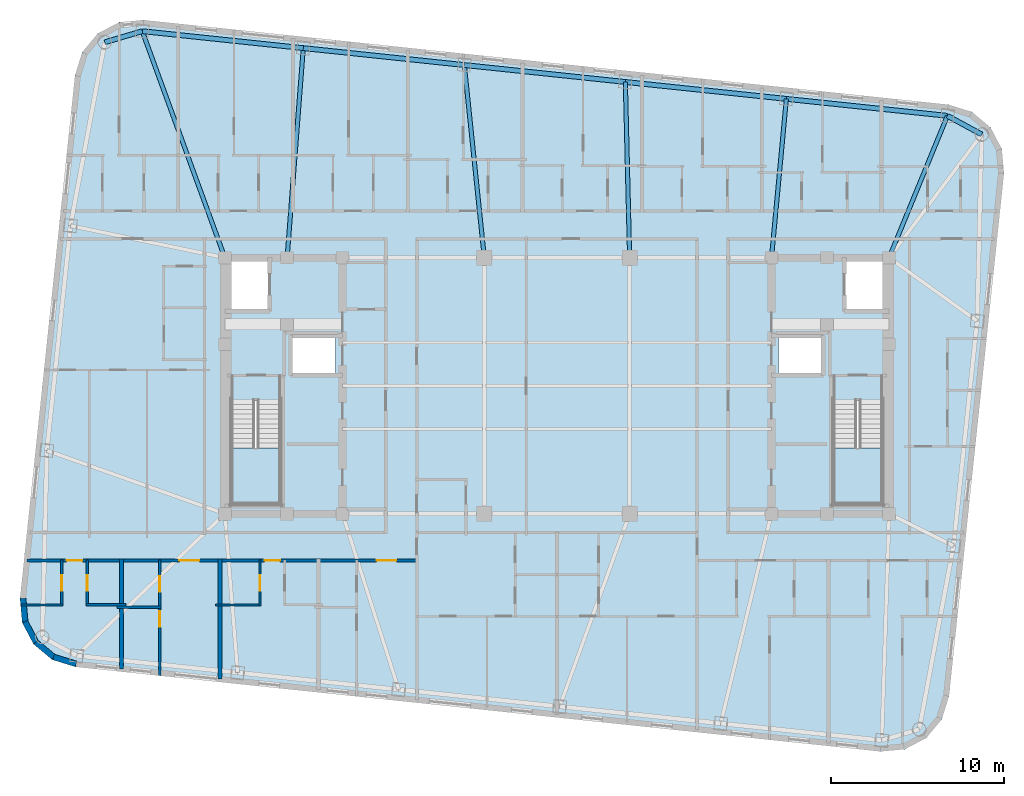
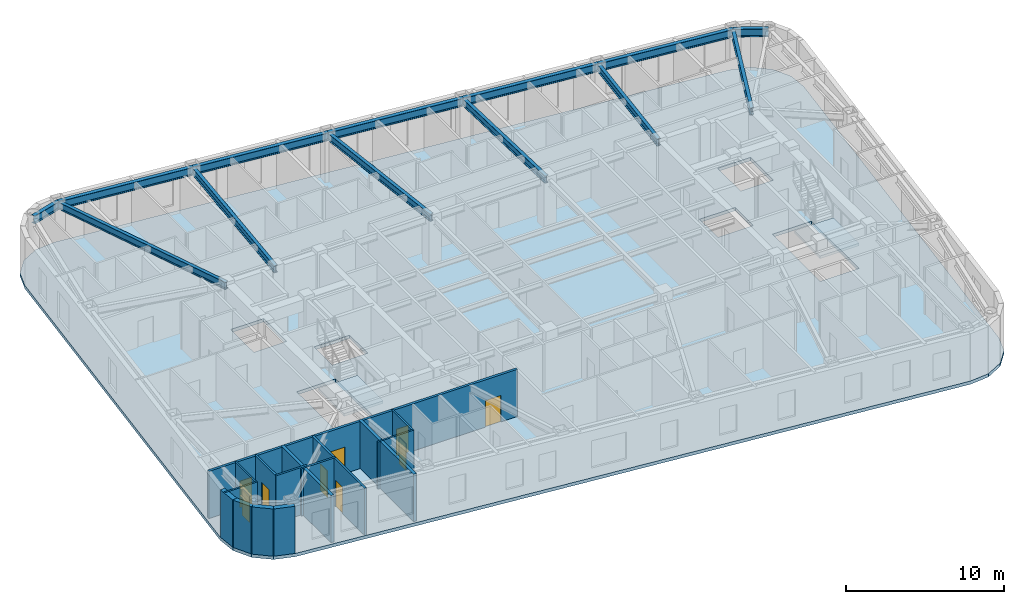
# One storey, part 2 of 11: 16 walls, 13 beams, 9 doors, 3 slabs, 9 openings, 2 elements without a shape of their own.
"""IFC4 building model written with IfcOpenShell, lengths in metres."""

from ifc_helpers import new_model, si_unit, direction, frame, frame_2d, origin, origin_2d, place, context, subcontext, project, spatial, polyline, rectangle, i_section, outline, extrude, material, layer, layer_set, material_profile, profile_set, type_object, element, fill, aggregate, save


model = new_model("IFC4")

# Units and contexts
model_context = context("Model", 3, precision=1e-05, world=origin(), true_north=direction((0.0, 1.0)))
body_context = subcontext(model_context, "Body", "Model", "MODEL_VIEW")
ifc_project = project(units=[si_unit("LENGTHUNIT", "METRE"), si_unit("AREAUNIT", "SQUARE_METRE"), si_unit("VOLUMEUNIT", "CUBIC_METRE"), si_unit("PLANEANGLEUNIT", "RADIAN"), si_unit("MASSUNIT", "GRAM", prefix="KILO")], contexts=[model_context])

# Site, building, storey
site_placement = place(None, origin())
site = spatial("IfcSite", under=ifc_project, at=site_placement, CompositionType="ELEMENT")
building_placement = place(site_placement, origin())
building = spatial("IfcBuilding", under=site, at=building_placement, Name="Voryun Gate Residences", CompositionType="ELEMENT")
storey_placement = place(building_placement, frame((0.0, 0.0, 271.699951171875)))
storey = spatial("IfcBuildingStorey", under=building, at=storey_placement, Name="L67", CompositionType="ELEMENT", Elevation=271.699951171875)

# Beams
ifc_material_1 = material(Name="Steel SM355", Category="steel")
ifc_material_profile_1 = material_profile(ifc_material_1, i_section(OverallWidth=0.280029296875, OverallDepth=0.6201171875, WebThickness=0.013916015625, FlangeThickness=0.02197265625, FilletRadius=0.01806640625, at=origin_2d()), Name="H-620x280x14x22")
ifc_profile_set_1 = profile_set([ifc_material_profile_1], Name="Steel SM355")
beam_type_1 = type_object("IfcBeamType", Name="BM_EXO_SPANDREL_H", PredefinedType="SPANDREL", material=ifc_profile_set_1)
beam_1_placement = place(storey_placement, frame((24.55322265625, 14.52734375, 3.340087890625), z_axis=(-0.878844363117, 0.477108567746, 0.0), x_axis=(-0.477108567746, -0.878844363117, 0.0)))
element("IfcBeam", 1, at=beam_1_placement, inside=storey, type_object=beam_type_1, Name="BM-L67-SPAND-10", PredefinedType="SPANDREL", context=body_context, shape_type="SweptSolid", body=[
    extrude(i_section(OverallWidth=0.280029296875, OverallDepth=0.6201171875, WebThickness=0.013916015625, FlangeThickness=0.02197265625, FilletRadius=0.01806640625, at=origin_2d()), origin(), (0.0, 0.0, 1.0), 2.257568359375),
])
beam_2_placement = place(storey_placement, frame((22.569091796875, 15.6044921875, 3.340087890625), z_axis=(-0.994520592114, 0.104540862157, 0.0), x_axis=(-0.104540862157, -0.994520592114, 0.0)))
element("IfcBeam", 2, at=beam_2_placement, inside=storey, type_object=beam_type_1, Name="BM-L67-SPAND-11", PredefinedType="SPANDREL", context=body_context, shape_type="SweptSolid", body=[
    extrude(i_section(OverallWidth=0.280029296875, OverallDepth=0.6201171875, WebThickness=0.013916015625, FlangeThickness=0.02197265625, FilletRadius=0.01806640625, at=origin_2d()), origin(), (0.0, 0.0, 1.0), 9.360107421875),
])
beam_3_placement = place(storey_placement, frame((13.26025390625, 16.5830078125, 3.340087890625), z_axis=(-0.994523018663, 0.104517775278, 0.0), x_axis=(-0.104517775278, -0.994523018663, 0.0)))
element("IfcBeam", 3, at=beam_3_placement, inside=storey, type_object=beam_type_1, Name="BM-L67-SPAND-12", PredefinedType="SPANDREL", context=body_context, shape_type="SweptSolid", body=[
    extrude(i_section(OverallWidth=0.280029296875, OverallDepth=0.6201171875, WebThickness=0.013916015625, FlangeThickness=0.02197265625, FilletRadius=0.01806640625, at=origin_2d()), origin(), (0.0, 0.0, 1.0), 9.35986328125),
])
for number, where, z_axis, x_axis, name in (
    (4, (3.95166015625, 17.561279296875, 3.340087890625), (-0.994520592114, 0.104540862157, 0.0), (-0.104540862157, -0.994520592114, 0.0), "BM-L67-SPAND-13"),
    (5, (-5.357177734375, 18.539794921875, 3.340087890625), (-0.994523303591, 0.104515064059, 0.0), (-0.104515064059, -0.994523303591, 0.0), "BM-L67-SPAND-14"),
):
    element("IfcBeam", number, at=place(storey_placement, frame(where, z_axis=z_axis, x_axis=x_axis)), inside=storey, type_object=beam_type_1, Name=name, PredefinedType="SPANDREL", context=body_context, shape_type="SweptSolid", body=[
        extrude(i_section(OverallWidth=0.280029296875, OverallDepth=0.6201171875, WebThickness=0.013916015625, FlangeThickness=0.02197265625, FilletRadius=0.01806640625, at=origin_2d()), origin(), (0.0, 0.0, 1.0), 9.360107421875),
    ])
beam_4_placement = place(storey_placement, frame((-14.666015625, 19.51806640625, 3.340087890625), z_axis=(-0.994520307047, 0.104543574031, 0.0), x_axis=(-0.104543574031, -0.994520307047, 0.0)))
element("IfcBeam", 6, at=beam_4_placement, inside=storey, type_object=beam_type_1, Name="BM-L67-SPAND-15", PredefinedType="SPANDREL", context=body_context, shape_type="SweptSolid", body=[
    extrude(i_section(OverallWidth=0.280029296875, OverallDepth=0.6201171875, WebThickness=0.013916015625, FlangeThickness=0.02197265625, FilletRadius=0.01806640625, at=origin_2d()), origin(), (0.0, 0.0, 1.0), 9.35986328125),
])
beam_5_placement = place(storey_placement, frame((-23.974609375, 20.49658203125, 3.340087890625), z_axis=(-0.958805748412, -0.28406255792, 0.0), x_axis=(0.28406255792, -0.958805748412, 0.0)))
element("IfcBeam", 7, at=beam_5_placement, inside=storey, type_object=beam_type_1, Name="BM-L67-SPAND-16", PredefinedType="SPANDREL", context=body_context, shape_type="SweptSolid", body=[
    extrude(i_section(OverallWidth=0.280029296875, OverallDepth=0.6201171875, WebThickness=0.013916015625, FlangeThickness=0.02197265625, FilletRadius=0.01806640625, at=origin_2d()), origin(), (0.0, 0.0, 1.0), 2.2578125),
])
ifc_material_2 = material(Name="Steel SM355", Category="steel")
ifc_material_profile_2 = material_profile(ifc_material_2, i_section(OverallWidth=0.239990234375, OverallDepth=0.550048828125, WebThickness=0.011962890625, FlangeThickness=0.02001953125, FilletRadius=0.01806640625, at=origin_2d()), Name="H-550x240x12x20")
ifc_profile_set_2 = profile_set([ifc_material_profile_2], Name="Steel SM355")
beam_type_2 = type_object("IfcBeamType", Name="BM_GIRD_550", PredefinedType="USERDEFINED", material=ifc_profile_set_2)
beam_6_placement = place(storey_placement, frame((19.199951171875, 7.39990234375, 3.375), z_axis=(0.379860811741, 0.925043655026, 0.0), x_axis=(-0.925043655026, 0.379860811741, 0.0)))
element("IfcBeam", 8, at=beam_6_placement, inside=storey, type_object=beam_type_2, Name="BM-L67-RAD-N1", ObjectType="GIRDER", PredefinedType="USERDEFINED", context=body_context, shape_type="SweptSolid", body=[
    extrude(i_section(OverallWidth=0.239990234375, OverallDepth=0.550048828125, WebThickness=0.011962890625, FlangeThickness=0.02001953125, FilletRadius=0.01806640625, at=origin_2d()), origin(), (0.0, 0.0, 1.0), 8.869384765625),
])
beam_7_placement = place(storey_placement, frame((12.39990234375, 7.39990234375, 3.375), z_axis=(0.093280030115, 0.995639912811, 0.0), x_axis=(-0.995639912811, 0.093280030115, 0.0)))
element("IfcBeam", 9, at=beam_7_placement, inside=storey, type_object=beam_type_2, Name="BM-L67-RAD-N2", ObjectType="GIRDER", PredefinedType="USERDEFINED", context=body_context, shape_type="SweptSolid", body=[
    extrude(i_section(OverallWidth=0.239990234375, OverallDepth=0.550048828125, WebThickness=0.011962890625, FlangeThickness=0.02001953125, FilletRadius=0.01806640625, at=origin_2d()), origin(), (0.0, 0.0, 1.0), 9.223388671875),
])
beam_8_placement = place(storey_placement, frame((4.199951171875, 7.39990234375, 3.375), z_axis=(-0.024427489288, 0.999701604364, 0.0), x_axis=(-0.999701604364, -0.024427489288, 0.0)))
element("IfcBeam", 10, at=beam_8_placement, inside=storey, type_object=beam_type_2, Name="BM-L67-RAD-N3", ObjectType="GIRDER", PredefinedType="USERDEFINED", context=body_context, shape_type="SweptSolid", body=[
    extrude(i_section(OverallWidth=0.239990234375, OverallDepth=0.550048828125, WebThickness=0.011962890625, FlangeThickness=0.02001953125, FilletRadius=0.01806640625, at=origin_2d()), origin(), (0.0, 0.0, 1.0), 10.164306640625),
])
beam_9_placement = place(storey_placement, frame((-4.199951171875, 7.39990234375, 3.375), z_axis=(-0.103325291149, 0.994647618109, 0.0), x_axis=(-0.994647618109, -0.103325291149, 0.0)))
element("IfcBeam", 11, at=beam_9_placement, inside=storey, type_object=beam_type_2, Name="BM-L67-RAD-N4", ObjectType="GIRDER", PredefinedType="USERDEFINED", context=body_context, shape_type="SweptSolid", body=[
    extrude(i_section(OverallWidth=0.239990234375, OverallDepth=0.550048828125, WebThickness=0.011962890625, FlangeThickness=0.02001953125, FilletRadius=0.01806640625, at=origin_2d()), origin(), (0.0, 0.0, 1.0), 11.199951171875),
])
beam_10_placement = place(storey_placement, frame((-15.60009765625, 7.39990234375, 3.375), z_axis=(0.07685317718, 0.997042420942, 0.0), x_axis=(-0.997042420942, 0.07685317718, 0.0)))
element("IfcBeam", 12, at=beam_10_placement, inside=storey, type_object=beam_type_2, Name="BM-L67-RAD-N5", ObjectType="GIRDER", PredefinedType="USERDEFINED", context=body_context, shape_type="SweptSolid", body=[
    extrude(i_section(OverallWidth=0.239990234375, OverallDepth=0.550048828125, WebThickness=0.011962890625, FlangeThickness=0.02001953125, FilletRadius=0.01806640625, at=origin_2d()), origin(), (0.0, 0.0, 1.0), 12.154052734375),
])
beam_11_placement = place(storey_placement, frame((-19.199951171875, 7.39990234375, 3.375), z_axis=(-0.342517773666, 0.939511348906, 0.0), x_axis=(-0.939511348906, -0.342517773666, 0.0)))
element("IfcBeam", 13, at=beam_11_placement, inside=storey, type_object=beam_type_2, Name="BM-L67-RAD-N6", ObjectType="GIRDER", PredefinedType="USERDEFINED", context=body_context, shape_type="SweptSolid", body=[
    extrude(i_section(OverallWidth=0.239990234375, OverallDepth=0.550048828125, WebThickness=0.011962890625, FlangeThickness=0.02001953125, FilletRadius=0.01806640625, at=origin_2d()), origin(), (0.0, 0.0, 1.0), 13.93994140625),
])

# Slab
ifc_material_3 = material(Name="Concrete C40/50", Category="concrete")
ifc_layer_1 = layer(ifc_material_3, 0.25, Name="SLB_RES_250")
ifc_layer_set_1 = layer_set([ifc_layer_1], Name="Concrete C40/50")
slab_type_1 = type_object("IfcSlabType", Name="SLB_RES_250", PredefinedType="FLOOR", material=ifc_layer_set_1)
slab_1_placement = place(storey_placement, frame((0.0, 0.0, -0.25)))
element("IfcSlab", 14, at=slab_1_placement, inside=storey, type_object=slab_type_1, Name="L67 Structural Floor Slab", PredefinedType="FLOOR", context=body_context, shape_type="SweptSolid", body=[
    extrude(outline(polyline([(-27.8369140625, -16.2509765625), (-29.178466796875, -15.83447265625), (-30.25830078125, -14.936279296875), (-30.912353515625, -13.693115234375), (-31.041015625, -12.29443359375), (-27.86328125, 17.93896484375), (-27.44677734375, 19.280517578125), (-26.548583984375, 20.3603515625), (-25.305419921875, 21.014404296875), (-23.90673828125, 21.14306640625), (22.636962890625, 16.2509765625), (23.978515625, 15.83447265625), (25.058349609375, 14.936279296875), (25.71240234375, 13.693115234375), (25.8408203125, 12.29443359375), (22.663330078125, -17.93896484375), (22.246826171875, -19.280517578125), (21.3486328125, -20.3603515625), (20.10546875, -21.014404296875), (18.706787109375, -21.14306640625), (-27.8369140625, -16.2509765625)]), holes=[polyline([(-15.97509765625, -0.840087890625), (-18.824951171875, -0.840087890625), (-18.824951171875, -6.85009765625), (-15.97509765625, -6.85009765625), (-15.97509765625, -0.840087890625)]), polyline([(18.824951171875, -6.85009765625), (18.824951171875, -0.840087890625), (15.97509765625, -0.840087890625), (15.97509765625, -6.85009765625), (18.824951171875, -6.85009765625)]), polyline([(-12.800048828125, 2.89990234375), (-15.39990234375, 2.89990234375), (-15.39990234375, 0.60009765625), (-12.800048828125, 0.60009765625), (-12.800048828125, 2.89990234375)]), polyline([(12.800048828125, 2.89990234375), (12.800048828125, 0.60009765625), (15.39990234375, 0.60009765625), (15.39990234375, 2.89990234375), (12.800048828125, 2.89990234375)]), polyline([(-16.60009765625, 7.199951171875), (-19.0, 7.199951171875), (-19.0, 4.300048828125), (-16.60009765625, 4.300048828125), (-16.60009765625, 7.199951171875)]), polyline([(19.0, 7.199951171875), (16.60009765625, 7.199951171875), (16.60009765625, 4.300048828125), (19.0, 4.300048828125), (19.0, 7.199951171875)])]), origin(), (0.0, 0.0, 1.0), 0.25),
])

# Stair, slab
ifc_material_4 = material(Name="Concrete C40/50", Category="concrete")
stair_type = type_object("IfcStairType", Name="STR_CORE_DOGLEG_1350", PredefinedType="HALF_TURN_STAIR", material=ifc_material_4)
stair_1_placement = place(storey_placement, origin())
stair_1 = element("IfcStair", 15, at=stair_1_placement, inside=storey, type_object=stair_type, Name="L67 Special Escape Stair ST-W1", PredefinedType="HALF_TURN_STAIR")
ifc_material_5 = material(Name="Concrete C40/50", Category="concrete")
ifc_layer_2 = layer(ifc_material_5, 0.199951171875, Name="SLB_STAIR_LANDING_200")
ifc_layer_set_2 = layer_set([ifc_layer_2], Name="Concrete C40/50")
slab_type_2 = type_object("IfcSlabType", Name="SLB_STAIR_LANDING_200", PredefinedType="LANDING", material=ifc_layer_set_2)
slab_2_placement = place(storey_placement, frame((0.0, 0.0, 1.75)))
slab_2 = element("IfcSlab", 16, at=slab_2_placement, type_object=slab_type_2, Name="ST-W1 landing 1", PredefinedType="LANDING", context=body_context, shape_type="SweptSolid", body=[
    extrude(outline(polyline([(-18.824951171875, -3.60009765625), (-18.824951171875, -6.85009765625), (-15.97509765625, -6.85009765625), (-15.97509765625, -3.60009765625), (-18.824951171875, -3.60009765625)])), origin(), (0.0, 0.0, 1.0), 0.199951171875),
])
aggregate(stair_1, [slab_2])

stair_2_placement = place(storey_placement, origin())
stair_2 = element("IfcStair", 17, at=stair_2_placement, inside=storey, type_object=stair_type, Name="L67 Special Escape Stair ST-E1", PredefinedType="HALF_TURN_STAIR")
slab_3_placement = place(storey_placement, frame((0.0, 0.0, 1.75)))
slab_3 = element("IfcSlab", 18, at=slab_3_placement, type_object=slab_type_2, Name="ST-E1 landing 1", PredefinedType="LANDING", context=body_context, shape_type="SweptSolid", body=[
    extrude(outline(polyline([(15.97509765625, -3.60009765625), (15.97509765625, -6.85009765625), (18.824951171875, -6.85009765625), (18.824951171875, -3.60009765625), (15.97509765625, -3.60009765625)])), origin(), (0.0, 0.0, 1.0), 0.199951171875),
])
aggregate(stair_2, [slab_3])

# Wall, openings, doors
ifc_material_6 = material(Name="Gypsum acoustic fireboard")
ifc_layer_3 = layer(ifc_material_6, 0.179931640625, Name="W_CORR_RATED_180")
ifc_layer_set_3 = layer_set([ifc_layer_3], Name="Gypsum acoustic fireboard")
wall_type_1 = type_object("IfcWallType", Name="W_CORR_RATED_180", PredefinedType="PARTITIONING", material=ifc_layer_set_3)
wall_1_placement = place(storey_placement, frame((-30.639404296875, -10.10009765625, 0.0), z_axis=(0.0, 0.0, 1.0), x_axis=(1.0, 0.0, 0.0)))
wall_1 = element("IfcWall", 19, at=wall_1_placement, inside=storey, type_object=wall_type_1, Name="Partition wall WP-L67-SCORR-W", PredefinedType="PARTITIONING", context=body_context, shape_type="SweptSolid", body=[
    extrude(rectangle(XDim=22.559326171875, YDim=0.179931640625, at=frame_2d((11.27978515625, 0.0))), origin(), (0.0, 0.0, 1.0), 3.650146484375),
])
opening_1_placement = place(wall_1_placement, frame((2.297607421875, 0.0, 0.0)))
opening_1 = element("IfcOpeningElement", 20, at=opening_1_placement, cuts=wall_1, Name="Opening D-INT-2", PredefinedType="OPENING", context=body_context, shape_type="SweptSolid", body=[
    extrude(rectangle(XDim=0.89990234375, YDim=2.050048828125, at=frame_2d((0.449951171875, 1.02490234375))), frame((0.0, 0.099853515625, 0.0), z_axis=(0.0, -1.0, 0.0), x_axis=(1.0, 0.0, 0.0)), (0.0, 0.0, 1.0), 0.199951171875),
])
opening_2_placement = place(wall_1_placement, frame((8.81201171875, 0.0, 0.0)))
opening_2 = element("IfcOpeningElement", 21, at=opening_2_placement, cuts=wall_1, Name="Opening D-UNIT-1", PredefinedType="OPENING", context=body_context, shape_type="SweptSolid", body=[
    extrude(rectangle(XDim=1.14990234375, YDim=2.050048828125, at=frame_2d((0.574951171875, 1.02490234375))), frame((0.0, 0.099853515625, 0.0), z_axis=(0.0, -1.0, 0.0), x_axis=(1.0, 0.0, 0.0)), (0.0, 0.0, 1.0), 0.199951171875),
])
opening_3_placement = place(wall_1_placement, frame((13.737548828125, 0.0, 0.0)))
opening_3 = element("IfcOpeningElement", 22, at=opening_3_placement, cuts=wall_1, Name="Opening D-INT-2", PredefinedType="OPENING", context=body_context, shape_type="SweptSolid", body=[
    extrude(rectangle(XDim=0.89990234375, YDim=2.050048828125, at=frame_2d((0.449951171875, 1.02490234375))), frame((0.0, 0.099853515625, 0.0), z_axis=(0.0, -1.0, 0.0), x_axis=(1.0, 0.0, 0.0)), (0.0, 0.0, 1.0), 0.199951171875),
])
opening_4_placement = place(wall_1_placement, frame((20.208984375, 0.0, 0.0)))
opening_4 = element("IfcOpeningElement", 23, at=opening_4_placement, cuts=wall_1, Name="Opening D-UNIT-1", PredefinedType="OPENING", context=body_context, shape_type="SweptSolid", body=[
    extrude(rectangle(XDim=1.14990234375, YDim=2.050048828125, at=frame_2d((0.574951171875, 1.02490234375))), frame((0.0, 0.099853515625, 0.0), z_axis=(0.0, -1.0, 0.0), x_axis=(1.0, 0.0, 0.0)), (0.0, 0.0, 1.0), 0.199951171875),
])
ifc_material_7 = material(Name="Architectural oak veneer")
door_type_1 = type_object("IfcDoorType", Name="DR_INT_BATH_900", OperationType="NOTDEFINED", PredefinedType="DOOR", material=ifc_material_7)
door_1_placement = place(opening_1_placement, origin())
door_1 = element("IfcDoor", 24, at=door_1_placement, inside=storey, type_object=door_type_1, Name="Door DR-L67-SENT-1", OperationType="SINGLE_SWING_RIGHT", OverallHeight=2.050048828125, OverallWidth=0.89990234375, PredefinedType="DOOR", context=body_context, shape_type="SweptSolid", body=[
    extrude(rectangle(XDim=0.89990234375, YDim=2.050048828125, at=frame_2d((0.449951171875, 1.02490234375))), frame((0.0, 0.02490234375, 0.0), z_axis=(0.0, -1.0, 0.0), x_axis=(1.0, 0.0, 0.0)), (0.0, 0.0, 1.0), 0.050048828125),
])
fill(opening_1, door_1)
door_2_placement = place(opening_3_placement, origin())
door_2 = element("IfcDoor", 25, at=door_2_placement, inside=storey, type_object=door_type_1, Name="Door DR-L67-SENT-3", OperationType="SINGLE_SWING_RIGHT", OverallHeight=2.050048828125, OverallWidth=0.89990234375, PredefinedType="DOOR", context=body_context, shape_type="SweptSolid", body=[
    extrude(rectangle(XDim=0.89990234375, YDim=2.050048828125, at=frame_2d((0.449951171875, 1.02490234375))), frame((0.0, 0.02490234375, 0.0), z_axis=(0.0, -1.0, 0.0), x_axis=(1.0, 0.0, 0.0)), (0.0, 0.0, 1.0), 0.050048828125),
])
fill(opening_3, door_2)
ifc_material_8 = material(Name="Armoured timber-clad fire door", Category="wood")
door_type_2 = type_object("IfcDoorType", Name="DR_UNIT_ENTRY_1150", OperationType="NOTDEFINED", PredefinedType="DOOR", material=ifc_material_8)
door_3_placement = place(opening_2_placement, origin())
door_3 = element("IfcDoor", 26, at=door_3_placement, inside=storey, type_object=door_type_2, Name="Door DR-L67-SENT-2", OperationType="SINGLE_SWING_LEFT", OverallHeight=2.050048828125, OverallWidth=1.14990234375, PredefinedType="DOOR", context=body_context, shape_type="SweptSolid", body=[
    extrude(rectangle(XDim=1.14990234375, YDim=2.050048828125, at=frame_2d((0.574951171875, 1.02490234375))), frame((0.0, 0.02490234375, 0.0), z_axis=(0.0, -1.0, 0.0), x_axis=(1.0, 0.0, 0.0)), (0.0, 0.0, 1.0), 0.050048828125),
])
fill(opening_2, door_3)
door_4_placement = place(opening_4_placement, origin())
door_4 = element("IfcDoor", 27, at=door_4_placement, inside=storey, type_object=door_type_2, Name="Door DR-L67-SENT-4", OperationType="SINGLE_SWING_LEFT", OverallHeight=2.050048828125, OverallWidth=1.14990234375, PredefinedType="DOOR", context=body_context, shape_type="SweptSolid", body=[
    extrude(rectangle(XDim=1.14990234375, YDim=2.050048828125, at=frame_2d((0.574951171875, 1.02490234375))), frame((0.0, 0.02490234375, 0.0), z_axis=(0.0, -1.0, 0.0), x_axis=(1.0, 0.0, 0.0)), (0.0, 0.0, 1.0), 0.050048828125),
])
fill(opening_4, door_4)

# Walls
ifc_material_9 = material(Name="Charcoal terracotta masonry", Category="masonry")
ifc_layer_4 = layer(ifc_material_9, 0.340087890625, Name="W_EXT_TERRACOTTA_340")
ifc_layer_set_4 = layer_set([ifc_layer_4], Name="Charcoal terracotta masonry")
wall_type_2 = type_object("IfcWallType", Name="W_EXT_TERRACOTTA_340", PredefinedType="ELEMENTEDWALL", material=ifc_layer_set_4)
wall_2_placement = place(storey_placement, frame((-27.802490234375, -16.083740234375, 0.0), z_axis=(0.0, 0.0, 1.0), x_axis=(-0.955007802701, 0.296580674994, 0.0)))
element("IfcWall", 28, at=wall_2_placement, inside=storey, type_object=wall_type_2, Name="Exterior wall WEXT-L67-02", PredefinedType="ELEMENTEDWALL", context=body_context, shape_type="SweptSolid", body=[
    extrude(rectangle(XDim=1.354248046875, YDim=0.340087890625, at=frame_2d((0.67724609375, 0.0))), origin(), (0.0, 0.0, 1.0), 3.650146484375),
])
wall_3_placement = place(storey_placement, frame((-29.095703125, -15.68212890625, 0.0), z_axis=(0.0, 0.0, 1.0), x_axis=(-0.768864427906, 0.639411832469, 0.0)))
element("IfcWall", 29, at=wall_3_placement, inside=storey, type_object=wall_type_2, Name="Exterior wall WEXT-L67-03", PredefinedType="ELEMENTEDWALL", context=body_context, shape_type="SweptSolid", body=[
    extrude(rectangle(XDim=1.337158203125, YDim=0.340087890625, at=frame_2d((0.66845703125, 0.0))), origin(), (0.0, 0.0, 1.0), 3.650146484375),
])
wall_4_placement = place(storey_placement, frame((-30.123779296875, -14.8271484375, 0.0), z_axis=(0.0, 0.0, 1.0), x_axis=(-0.465528132217, 0.885033083062, 0.0)))
element("IfcWall", 30, at=wall_4_placement, inside=storey, type_object=wall_type_2, Name="Exterior wall WEXT-L67-04", PredefinedType="ELEMENTEDWALL", context=body_context, shape_type="SweptSolid", body=[
    extrude(rectangle(XDim=1.3369140625, YDim=0.340087890625, at=frame_2d((0.66845703125, 0.0))), origin(), (0.0, 0.0, 1.0), 3.650146484375),
])
wall_5_placement = place(storey_placement, frame((-30.74609375, -13.64404296875, 0.0), z_axis=(0.0, 0.0, 1.0), x_axis=(-0.091592370975, 0.995796584438, 0.0)))
element("IfcWall", 31, at=wall_5_placement, inside=storey, type_object=wall_type_2, Name="Exterior wall WEXT-L67-05", PredefinedType="ELEMENTEDWALL", context=body_context, shape_type="SweptSolid", body=[
    extrude(rectangle(XDim=1.35400390625, YDim=0.340087890625, at=frame_2d((0.677001953125, 0.0))), origin(), (0.0, 0.0, 1.0), 3.650146484375),
])
ifc_material_10 = material(Name="Concrete C40/50", Category="concrete")
ifc_layer_5 = layer(ifc_material_10, 0.219970703125, Name="W_PARTY_ACOUSTIC_220")
ifc_layer_set_5 = layer_set([ifc_layer_5], Name="Concrete C40/50")
wall_type_3 = type_object("IfcWallType", Name="W_PARTY_ACOUSTIC_220", PredefinedType="PARTITIONING", material=ifc_layer_set_5)
wall_6_placement = place(storey_placement, frame((-25.177978515625, -16.359619140625, 0.0), z_axis=(0.0, 0.0, 1.0), x_axis=(0.0, 1.0, 0.0)))
element("IfcWall", 32, at=wall_6_placement, inside=storey, type_object=wall_type_3, Name="Partition wall WP-L67-SPTY-1", PredefinedType="PARTITIONING", context=body_context, shape_type="SweptSolid", body=[
    extrude(rectangle(XDim=6.339599609375, YDim=0.219970703125, at=frame_2d((3.169921875, 0.0))), origin(), (0.0, 0.0, 1.0), 3.650146484375),
])
wall_7_placement = place(storey_placement, frame((-19.47802734375, -16.958740234375, 0.0), z_axis=(0.0, 0.0, 1.0), x_axis=(0.0, 1.0, 0.0)))
element("IfcWall", 33, at=wall_7_placement, inside=storey, type_object=wall_type_3, Name="Partition wall WP-L67-SPTY-2", PredefinedType="PARTITIONING", context=body_context, shape_type="SweptSolid", body=[
    extrude(rectangle(XDim=6.938720703125, YDim=0.219970703125, at=frame_2d((3.46923828125, 0.0))), origin(), (0.0, 0.0, 1.0), 3.650146484375),
])

# Wall, opening, door
ifc_material_11 = material(Name="Gypsum acoustic partition")
ifc_layer_6 = layer(ifc_material_11, 0.125, Name="W_UNIT_PART_125")
ifc_layer_set_6 = layer_set([ifc_layer_6], Name="Gypsum acoustic partition")
wall_type_4 = type_object("IfcWallType", Name="W_UNIT_PART_125", PredefinedType="PARTITIONING", material=ifc_layer_set_6)
wall_8_placement = place(storey_placement, frame((-28.626953125, -12.72998046875, 0.0), z_axis=(0.0, 0.0, 1.0), x_axis=(0.0, 1.0, 0.0)))
wall_8 = element("IfcWall", 34, at=wall_8_placement, inside=storey, type_object=wall_type_4, Name="Partition wall WP-L67-S1-CVK", PredefinedType="PARTITIONING", context=body_context, shape_type="SweptSolid", body=[
    extrude(rectangle(XDim=2.64990234375, YDim=0.125, at=frame_2d((1.324951171875, 0.0))), origin(), (0.0, 0.0, 1.0), 3.650146484375),
])
opening_5_placement = place(wall_8_placement, frame((0.875, 0.0, 0.0)))
opening_5 = element("IfcOpeningElement", 35, at=opening_5_placement, cuts=wall_8, Name="Opening D-INT-2", PredefinedType="OPENING", context=body_context, shape_type="SweptSolid", body=[
    extrude(rectangle(XDim=0.89990234375, YDim=2.050048828125, at=frame_2d((0.449951171875, 1.02490234375))), frame((0.0, 0.072509765625, 0.0), z_axis=(0.0, -1.0, 0.0), x_axis=(1.0, 0.0, 0.0)), (0.0, 0.0, 1.0), 0.14501953125),
])
door_5_placement = place(opening_5_placement, origin())
door_5 = element("IfcDoor", 36, at=door_5_placement, inside=storey, type_object=door_type_1, Name="Door DR-L67-S1-DK", OperationType="SINGLE_SWING_LEFT", OverallHeight=2.050048828125, OverallWidth=0.89990234375, PredefinedType="DOOR", context=body_context, shape_type="SweptSolid", body=[
    extrude(rectangle(XDim=0.89990234375, YDim=2.050048828125, at=frame_2d((0.449951171875, 1.02490234375))), frame((0.0, 0.02490234375, 0.0), z_axis=(0.0, -1.0, 0.0), x_axis=(1.0, 0.0, 0.0)), (0.0, 0.0, 1.0), 0.050048828125),
])
fill(opening_5, door_5)

# Wall
wall_9_placement = place(storey_placement, frame((-30.986328125, -12.669921875, 0.0), z_axis=(0.0, 0.0, 1.0), x_axis=(1.0, 0.0, 0.0)))
element("IfcWall", 37, at=wall_9_placement, inside=storey, type_object=wall_type_4, Name="Partition wall WP-L67-S1-CHK", PredefinedType="PARTITIONING", context=body_context, shape_type="SweptSolid", body=[
    extrude(rectangle(XDim=2.41943359375, YDim=0.125, at=frame_2d((1.209716796875, 0.0))), origin(), (0.0, 0.0, 1.0), 3.650146484375),
])

# Wall, opening, door
wall_10_placement = place(storey_placement, frame((-17.16796875, -12.72998046875, 0.0), z_axis=(0.0, 0.0, 1.0), x_axis=(0.0, 1.0, 0.0)))
wall_10 = element("IfcWall", 38, at=wall_10_placement, inside=storey, type_object=wall_type_4, Name="Partition wall WP-L67-S3-CVK", PredefinedType="PARTITIONING", context=body_context, shape_type="SweptSolid", body=[
    extrude(rectangle(XDim=2.64990234375, YDim=0.125, at=frame_2d((1.324951171875, 0.0))), origin(), (0.0, 0.0, 1.0), 3.650146484375),
])
opening_6_placement = place(wall_10_placement, frame((0.875, 0.0, 0.0)))
opening_6 = element("IfcOpeningElement", 39, at=opening_6_placement, cuts=wall_10, Name="Opening D-INT-2", PredefinedType="OPENING", context=body_context, shape_type="SweptSolid", body=[
    extrude(rectangle(XDim=0.89990234375, YDim=2.050048828125, at=frame_2d((0.449951171875, 1.02490234375))), frame((0.0, 0.072509765625, 0.0), z_axis=(0.0, -1.0, 0.0), x_axis=(1.0, 0.0, 0.0)), (0.0, 0.0, 1.0), 0.14501953125),
])
door_6_placement = place(opening_6_placement, origin())
door_6 = element("IfcDoor", 40, at=door_6_placement, inside=storey, type_object=door_type_1, Name="Door DR-L67-S3-DK", OperationType="SINGLE_SWING_LEFT", OverallHeight=2.050048828125, OverallWidth=0.89990234375, PredefinedType="DOOR", context=body_context, shape_type="SweptSolid", body=[
    extrude(rectangle(XDim=0.89990234375, YDim=2.050048828125, at=frame_2d((0.449951171875, 1.02490234375))), frame((0.0, 0.02490234375, 0.0), z_axis=(0.0, -1.0, 0.0), x_axis=(1.0, 0.0, 0.0)), (0.0, 0.0, 1.0), 0.050048828125),
])
fill(opening_6, door_6)

# Wall
wall_11_placement = place(storey_placement, frame((-19.738037109375, -12.669921875, 0.0), z_axis=(0.0, 0.0, 1.0), x_axis=(1.0, 0.0, 0.0)))
element("IfcWall", 41, at=wall_11_placement, inside=storey, type_object=wall_type_4, Name="Partition wall WP-L67-S3-CHK", PredefinedType="PARTITIONING", context=body_context, shape_type="SweptSolid", body=[
    extrude(rectangle(XDim=2.630126953125, YDim=0.125, at=frame_2d((1.31494140625, 0.0))), origin(), (0.0, 0.0, 1.0), 3.650146484375),
])

# Wall, opening, door
ifc_material_12 = material(Name="Gypsum moisture-resistant partition")
ifc_layer_7 = layer(ifc_material_12, 0.14990234375, Name="W_WET_PLUMB_150")
ifc_layer_set_7 = layer_set([ifc_layer_7], Name="Gypsum moisture-resistant partition")
wall_type_5 = type_object("IfcWallType", Name="W_WET_PLUMB_150", PredefinedType="PLUMBINGWALL", material=ifc_layer_set_7)
wall_12_placement = place(storey_placement, frame((-27.155029296875, -12.72998046875, 0.0), z_axis=(0.0, 0.0, 1.0), x_axis=(0.0, 1.0, 0.0)))
wall_12 = element("IfcWall", 42, at=wall_12_placement, inside=storey, type_object=wall_type_5, Name="Partition wall WP-L67-S1-CVB", PredefinedType="PLUMBINGWALL", context=body_context, shape_type="SweptSolid", body=[
    extrude(rectangle(XDim=2.64990234375, YDim=0.14990234375, at=frame_2d((1.324951171875, 0.0))), origin(), (0.0, 0.0, 1.0), 3.650146484375),
])
opening_7_placement = place(wall_12_placement, frame((0.875, 0.0, 0.0)))
opening_7 = element("IfcOpeningElement", 43, at=opening_7_placement, cuts=wall_12, Name="Opening D-INT-2", PredefinedType="OPENING", context=body_context, shape_type="SweptSolid", body=[
    extrude(rectangle(XDim=0.89990234375, YDim=2.050048828125, at=frame_2d((0.449951171875, 1.02490234375))), frame((0.0, 0.0849609375, 0.0), z_axis=(0.0, -1.0, 0.0), x_axis=(1.0, 0.0, 0.0)), (0.0, 0.0, 1.0), 0.169921875),
])
door_7_placement = place(opening_7_placement, origin())
door_7 = element("IfcDoor", 44, at=door_7_placement, inside=storey, type_object=door_type_1, Name="Door DR-L67-S1-DB", OperationType="SINGLE_SWING_RIGHT", OverallHeight=2.050048828125, OverallWidth=0.89990234375, PredefinedType="DOOR", context=body_context, shape_type="SweptSolid", body=[
    extrude(rectangle(XDim=0.89990234375, YDim=2.050048828125, at=frame_2d((0.449951171875, 1.02490234375))), frame((0.0, 0.02490234375, 0.0), z_axis=(0.0, -1.0, 0.0), x_axis=(1.0, 0.0, 0.0)), (0.0, 0.0, 1.0), 0.050048828125),
])
fill(opening_7, door_7)

# Walls
wall_13_placement = place(storey_placement, frame((-27.215087890625, -12.669921875, 0.0), z_axis=(0.0, 0.0, 1.0), x_axis=(1.0, 0.0, 0.0)))
element("IfcWall", 45, at=wall_13_placement, inside=storey, type_object=wall_type_5, Name="Partition wall WP-L67-S1-CHB", PredefinedType="PLUMBINGWALL", context=body_context, shape_type="SweptSolid", body=[
    extrude(rectangle(XDim=2.297119140625, YDim=0.14990234375, at=frame_2d((1.1484375, 0.0))), origin(), (0.0, 0.0, 1.0), 3.650146484375),
])
wall_14_placement = place(storey_placement, frame((-25.43798828125, -12.800048828125, 0.0), z_axis=(0.0, 0.0, 1.0), x_axis=(1.0, 0.0, 0.0)))
element("IfcWall", 46, at=wall_14_placement, inside=storey, type_object=wall_type_5, Name="Partition wall WP-L67-S2-SKB", PredefinedType="PLUMBINGWALL", context=body_context, shape_type="SweptSolid", body=[
    extrude(rectangle(XDim=2.550048828125, YDim=0.14990234375, at=frame_2d((1.27490234375, 0.0))), origin(), (0.0, 0.0, 1.0), 3.650146484375),
])

# Wall, opening, door
wall_15_placement = place(storey_placement, frame((-22.968017578125, -16.74267578125, 0.0), z_axis=(0.0, 0.0, 1.0), x_axis=(0.0, 1.0, 0.0)))
wall_15 = element("IfcWall", 47, at=wall_15_placement, inside=storey, type_object=wall_type_5, Name="Partition wall WP-L67-S2-SVT1", PredefinedType="PLUMBINGWALL", context=body_context, shape_type="SweptSolid", body=[
    extrude(rectangle(XDim=3.982666015625, YDim=0.14990234375, at=frame_2d((1.9912109375, 0.0))), origin(), (0.0, 0.0, 1.0), 3.650146484375),
])
opening_8_placement = place(wall_15_placement, frame((2.81591796875, 0.0, 0.0)))
opening_8 = element("IfcOpeningElement", 48, at=opening_8_placement, cuts=wall_15, Name="Opening D-INT-2", PredefinedType="OPENING", context=body_context, shape_type="SweptSolid", body=[
    extrude(rectangle(XDim=0.89990234375, YDim=2.050048828125, at=frame_2d((0.449951171875, 1.02490234375))), frame((0.0, 0.0849609375, 0.0), z_axis=(0.0, -1.0, 0.0), x_axis=(1.0, 0.0, 0.0)), (0.0, 0.0, 1.0), 0.169921875),
])
door_8_placement = place(opening_8_placement, origin())
door_8 = element("IfcDoor", 49, at=door_8_placement, inside=storey, type_object=door_type_1, Name="Door DR-L67-S2-DK", OperationType="SINGLE_SWING_LEFT", OverallHeight=2.050048828125, OverallWidth=0.89990234375, PredefinedType="DOOR", context=body_context, shape_type="SweptSolid", body=[
    extrude(rectangle(XDim=0.89990234375, YDim=2.050048828125, at=frame_2d((0.449951171875, 1.02490234375))), frame((0.0, 0.02490234375, 0.0), z_axis=(0.0, -1.0, 0.0), x_axis=(1.0, 0.0, 0.0)), (0.0, 0.0, 1.0), 0.050048828125),
])
fill(opening_8, door_8)

wall_16_placement = place(storey_placement, frame((-22.968017578125, -12.840087890625, 0.0), z_axis=(0.0, 0.0, 1.0), x_axis=(0.0, 1.0, 0.0)))
wall_16 = element("IfcWall", 50, at=wall_16_placement, inside=storey, type_object=wall_type_5, Name="Partition wall WP-L67-S2-SVT2", PredefinedType="PLUMBINGWALL", context=body_context, shape_type="SweptSolid", body=[
    extrude(rectangle(XDim=2.760009765625, YDim=0.14990234375, at=frame_2d((1.3798828125, 0.0))), origin(), (0.0, 0.0, 1.0), 3.650146484375),
])
opening_9_placement = place(wall_16_placement, frame((0.929931640625, 0.0, 0.0)))
opening_9 = element("IfcOpeningElement", 51, at=opening_9_placement, cuts=wall_16, Name="Opening D-INT-2", PredefinedType="OPENING", context=body_context, shape_type="SweptSolid", body=[
    extrude(rectangle(XDim=0.89990234375, YDim=2.050048828125, at=frame_2d((0.449951171875, 1.02490234375))), frame((0.0, 0.0849609375, 0.0), z_axis=(0.0, -1.0, 0.0), x_axis=(1.0, 0.0, 0.0)), (0.0, 0.0, 1.0), 0.169921875),
])
door_9_placement = place(opening_9_placement, origin())
door_9 = element("IfcDoor", 52, at=door_9_placement, inside=storey, type_object=door_type_1, Name="Door DR-L67-S2-DB", OperationType="SINGLE_SWING_RIGHT", OverallHeight=2.050048828125, OverallWidth=0.89990234375, PredefinedType="DOOR", context=body_context, shape_type="SweptSolid", body=[
    extrude(rectangle(XDim=0.89990234375, YDim=2.050048828125, at=frame_2d((0.449951171875, 1.02490234375))), frame((0.0, 0.02490234375, 0.0), z_axis=(0.0, -1.0, 0.0), x_axis=(1.0, 0.0, 0.0)), (0.0, 0.0, 1.0), 0.050048828125),
])
fill(opening_9, door_9)

save(model, "model.ifc")
